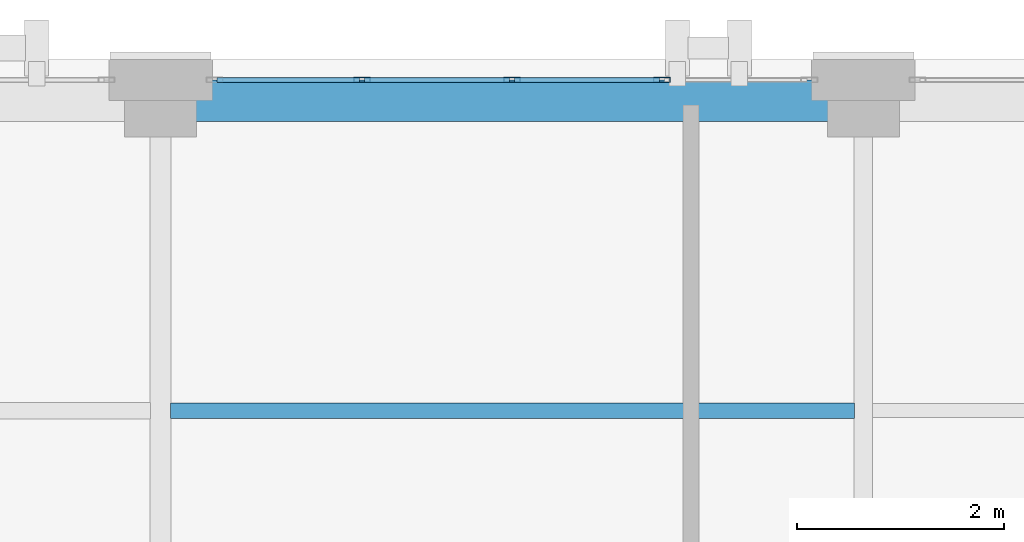
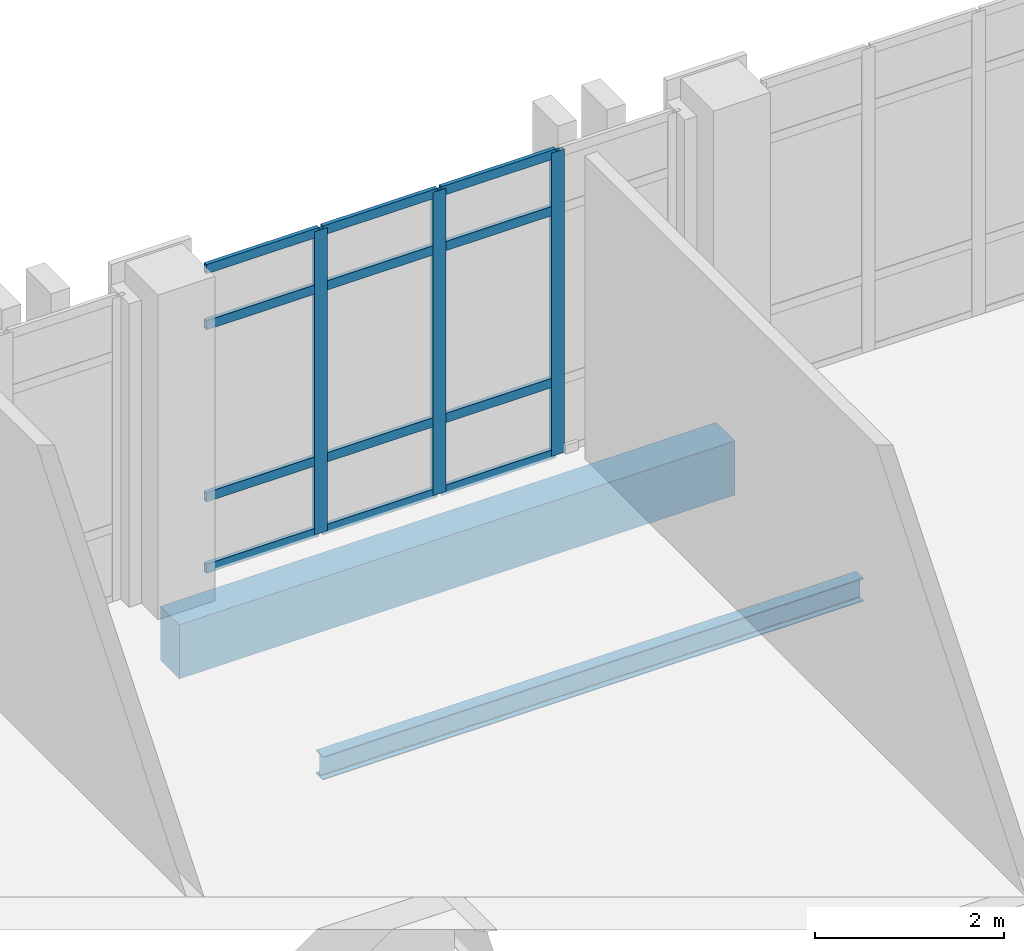
# One storey, part 93 of 158: 15 members, 2 beams, 1 element without a shape of its own.
"""IFC4 building model written with IfcOpenShell, lengths in metres."""

from ifc_helpers import new_model, si_unit, direction, frame, origin, origin_2d, place, context, subcontext, project, spatial, rectangle, hollow_rectangle, i_section, extrude, material, layer, layer_set, material_profile, profile_set, type_object, element, aggregate, save


model = new_model("IFC4")

# Units and contexts
model_context = context("Model", 3, precision=1e-05, world=origin(), true_north=direction((0.0, 1.0)))
body_context = subcontext(model_context, "Body", "Model", "MODEL_VIEW")
ifc_project = project(units=[si_unit("LENGTHUNIT", "METRE"), si_unit("AREAUNIT", "SQUARE_METRE"), si_unit("VOLUMEUNIT", "CUBIC_METRE"), si_unit("PLANEANGLEUNIT", "RADIAN"), si_unit("MASSUNIT", "GRAM", prefix="KILO")], contexts=[model_context])

# Site, building, storey
site_placement = place(None, origin())
site = spatial("IfcSite", under=ifc_project, at=site_placement, CompositionType="ELEMENT")
building_placement = place(site_placement, origin())
building = spatial("IfcBuilding", under=site, at=building_placement, Name="Qalavern Law Courts", CompositionType="ELEMENT")
storey_placement = place(building_placement, frame((0.0, 0.0, 18.60009765625)))
storey = spatial("IfcBuildingStorey", under=building, at=storey_placement, Name="L04", CompositionType="ELEMENT", Elevation=18.60009765625)

# Curtain wall, members
ifc_material_1 = material(Name="Anodised aluminium and insulated glazing", Category="aluminium")
ifc_layer = layer(ifc_material_1, 0.166015625)
ifc_layer_set = layer_set([ifc_layer], Name="Anodised aluminium and insulated glazing")
curtain_wall_type = type_object("IfcCurtainWallType", Name="ENV-CW-LIB", PredefinedType="USERDEFINED", material=ifc_layer_set)
curtain_wall_placement = place(storey_placement, origin())
curtain_wall = element("IfcCurtainWall", 1, at=curtain_wall_placement, inside=storey, type_object=curtain_wall_type, Name="V5 unitised curtain wall L04 north 3", ObjectType="UNITISED CURTAIN WALL", PredefinedType="USERDEFINED")
ifc_material_2 = material(Name="Anodised aluminium", Category="aluminium")
ifc_material_profile_1 = material_profile(ifc_material_2, hollow_rectangle(XDim=0.048095703125, YDim=0.159912109375, WallThickness=0.00390625, at=origin_2d()), Name="ALU MULLION 48x160")
ifc_profile_set_1 = profile_set([ifc_material_profile_1], Name="Anodised aluminium")
member_type_1 = type_object("IfcMemberType", Name="ENV-CWM-48x160", PredefinedType="MULLION", material=ifc_profile_set_1)
member_1_placement = place(storey_placement, frame((49.64990234375, 112.800048828125, 0.0), z_axis=(0.0, 0.0, 1.0), x_axis=(0.0, -1.0, 0.0)))
member_1 = element("IfcMember", 2, at=member_1_placement, type_object=member_type_1, Name="CW-05 mullion 2", PredefinedType="MULLION", context=body_context, shape_type="SweptSolid", body=[
    extrude(hollow_rectangle(XDim=0.048095703125, YDim=0.159912109375, WallThickness=0.00390625, at=origin_2d()), origin(), (0.0, 0.0, 1.0), 3.9248046875),
])
member_2_placement = place(storey_placement, frame((48.199951171875, 112.800048828125, 0.0), z_axis=(0.0, 0.0, 1.0), x_axis=(0.0, -1.0, 0.0)))
member_2 = element("IfcMember", 3, at=member_2_placement, type_object=member_type_1, Name="CW-05 mullion 3", PredefinedType="MULLION", context=body_context, shape_type="SweptSolid", body=[
    extrude(hollow_rectangle(XDim=0.048095703125, YDim=0.159912109375, WallThickness=0.00390625, at=origin_2d()), origin(), (0.0, 0.0, 1.0), 3.9248046875),
])
member_3_placement = place(storey_placement, frame((46.75, 112.800048828125, 0.0), z_axis=(0.0, 0.0, 1.0), x_axis=(0.0, -1.0, 0.0)))
member_3 = element("IfcMember", 4, at=member_3_placement, type_object=member_type_1, Name="CW-05 mullion 4", PredefinedType="MULLION", context=body_context, shape_type="SweptSolid", body=[
    extrude(hollow_rectangle(XDim=0.048095703125, YDim=0.159912109375, WallThickness=0.00390625, at=origin_2d()), origin(), (0.0, 0.0, 1.0), 3.9248046875),
])
ifc_material_profile_2 = material_profile(ifc_material_2, hollow_rectangle(XDim=0.048095703125, YDim=0.1201171875, WallThickness=0.00390625, at=origin_2d()), Name="ALU TRANSOM 48x120")
ifc_profile_set_2 = profile_set([ifc_material_profile_2], Name="Anodised aluminium")
member_type_2 = type_object("IfcMemberType", Name="ENV-CWT-48x120", PredefinedType="USERDEFINED", material=ifc_profile_set_2)
member_4_placement = place(storey_placement, frame((49.6259765625, 112.800048828125, 0.02392578125), z_axis=(-1.0, 0.0, 0.0), x_axis=(0.0, -1.0, 0.0)))
member_4 = element("IfcMember", 5, at=member_4_placement, type_object=member_type_2, Name="CW-05 transom 2.1", ObjectType="TRANSOM", PredefinedType="USERDEFINED", context=body_context, shape_type="SweptSolid", body=[
    extrude(hollow_rectangle(XDim=0.048095703125, YDim=0.1201171875, WallThickness=0.00390625, at=origin_2d()), origin(), (0.0, 0.0, 1.0), 1.40185546875),
])
member_5_placement = place(storey_placement, frame((49.6259765625, 112.800048828125, 0.949951171875), z_axis=(-1.0, 0.0, 0.0), x_axis=(0.0, -1.0, 0.0)))
member_5 = element("IfcMember", 6, at=member_5_placement, type_object=member_type_2, Name="CW-05 transom 2.2", ObjectType="TRANSOM", PredefinedType="USERDEFINED", context=body_context, shape_type="SweptSolid", body=[
    extrude(hollow_rectangle(XDim=0.048095703125, YDim=0.1201171875, WallThickness=0.00390625, at=origin_2d()), origin(), (0.0, 0.0, 1.0), 1.40185546875),
])
member_6_placement = place(storey_placement, frame((49.6259765625, 112.800048828125, 3.1748046875), z_axis=(-1.0, 0.0, 0.0), x_axis=(0.0, -1.0, 0.0)))
member_6 = element("IfcMember", 7, at=member_6_placement, type_object=member_type_2, Name="CW-05 transom 2.3", ObjectType="TRANSOM", PredefinedType="USERDEFINED", context=body_context, shape_type="SweptSolid", body=[
    extrude(hollow_rectangle(XDim=0.048095703125, YDim=0.1201171875, WallThickness=0.00390625, at=origin_2d()), origin(), (0.0, 0.0, 1.0), 1.40185546875),
])
member_7_placement = place(storey_placement, frame((49.6259765625, 112.800048828125, 3.90087890625), z_axis=(-1.0, 0.0, 0.0), x_axis=(0.0, -1.0, 0.0)))
member_7 = element("IfcMember", 8, at=member_7_placement, type_object=member_type_2, Name="CW-05 transom 2.4", ObjectType="TRANSOM", PredefinedType="USERDEFINED", context=body_context, shape_type="SweptSolid", body=[
    extrude(hollow_rectangle(XDim=0.048095703125, YDim=0.1201171875, WallThickness=0.00390625, at=origin_2d()), origin(), (0.0, 0.0, 1.0), 1.40185546875),
])
member_8_placement = place(storey_placement, frame((48.176025390625, 112.800048828125, 0.02392578125), z_axis=(-1.0, 0.0, 0.0), x_axis=(0.0, -1.0, 0.0)))
member_8 = element("IfcMember", 9, at=member_8_placement, type_object=member_type_2, Name="CW-05 transom 3.1", ObjectType="TRANSOM", PredefinedType="USERDEFINED", context=body_context, shape_type="SweptSolid", body=[
    extrude(hollow_rectangle(XDim=0.048095703125, YDim=0.1201171875, WallThickness=0.00390625, at=origin_2d()), origin(), (0.0, 0.0, 1.0), 1.402099609375),
])
member_9_placement = place(storey_placement, frame((48.176025390625, 112.800048828125, 0.949951171875), z_axis=(-1.0, 0.0, 0.0), x_axis=(0.0, -1.0, 0.0)))
member_9 = element("IfcMember", 10, at=member_9_placement, type_object=member_type_2, Name="CW-05 transom 3.2", ObjectType="TRANSOM", PredefinedType="USERDEFINED", context=body_context, shape_type="SweptSolid", body=[
    extrude(hollow_rectangle(XDim=0.048095703125, YDim=0.1201171875, WallThickness=0.00390625, at=origin_2d()), origin(), (0.0, 0.0, 1.0), 1.402099609375),
])
member_10_placement = place(storey_placement, frame((48.176025390625, 112.800048828125, 3.1748046875), z_axis=(-1.0, 0.0, 0.0), x_axis=(0.0, -1.0, 0.0)))
member_10 = element("IfcMember", 11, at=member_10_placement, type_object=member_type_2, Name="CW-05 transom 3.3", ObjectType="TRANSOM", PredefinedType="USERDEFINED", context=body_context, shape_type="SweptSolid", body=[
    extrude(hollow_rectangle(XDim=0.048095703125, YDim=0.1201171875, WallThickness=0.00390625, at=origin_2d()), origin(), (0.0, 0.0, 1.0), 1.402099609375),
])
member_11_placement = place(storey_placement, frame((48.176025390625, 112.800048828125, 3.90087890625), z_axis=(-1.0, 0.0, 0.0), x_axis=(0.0, -1.0, 0.0)))
member_11 = element("IfcMember", 12, at=member_11_placement, type_object=member_type_2, Name="CW-05 transom 3.4", ObjectType="TRANSOM", PredefinedType="USERDEFINED", context=body_context, shape_type="SweptSolid", body=[
    extrude(hollow_rectangle(XDim=0.048095703125, YDim=0.1201171875, WallThickness=0.00390625, at=origin_2d()), origin(), (0.0, 0.0, 1.0), 1.402099609375),
])
member_12_placement = place(storey_placement, frame((46.72607421875, 112.800048828125, 0.02392578125), z_axis=(-1.0, 0.0, 0.0), x_axis=(0.0, -1.0, 0.0)))
member_12 = element("IfcMember", 13, at=member_12_placement, type_object=member_type_2, Name="CW-05 transom 4.1", ObjectType="TRANSOM", PredefinedType="USERDEFINED", context=body_context, shape_type="SweptSolid", body=[
    extrude(hollow_rectangle(XDim=0.048095703125, YDim=0.1201171875, WallThickness=0.00390625, at=origin_2d()), origin(), (0.0, 0.0, 1.0), 1.378173828125),
])
member_13_placement = place(storey_placement, frame((46.72607421875, 112.800048828125, 0.949951171875), z_axis=(-1.0, 0.0, 0.0), x_axis=(0.0, -1.0, 0.0)))
member_13 = element("IfcMember", 14, at=member_13_placement, type_object=member_type_2, Name="CW-05 transom 4.2", ObjectType="TRANSOM", PredefinedType="USERDEFINED", context=body_context, shape_type="SweptSolid", body=[
    extrude(hollow_rectangle(XDim=0.048095703125, YDim=0.1201171875, WallThickness=0.00390625, at=origin_2d()), origin(), (0.0, 0.0, 1.0), 1.378173828125),
])
member_14_placement = place(storey_placement, frame((46.72607421875, 112.800048828125, 3.1748046875), z_axis=(-1.0, 0.0, 0.0), x_axis=(0.0, -1.0, 0.0)))
member_14 = element("IfcMember", 15, at=member_14_placement, type_object=member_type_2, Name="CW-05 transom 4.3", ObjectType="TRANSOM", PredefinedType="USERDEFINED", context=body_context, shape_type="SweptSolid", body=[
    extrude(hollow_rectangle(XDim=0.048095703125, YDim=0.1201171875, WallThickness=0.00390625, at=origin_2d()), origin(), (0.0, 0.0, 1.0), 1.378173828125),
])
member_15_placement = place(storey_placement, frame((46.72607421875, 112.800048828125, 3.90087890625), z_axis=(-1.0, 0.0, 0.0), x_axis=(0.0, -1.0, 0.0)))
member_15 = element("IfcMember", 16, at=member_15_placement, type_object=member_type_2, Name="CW-05 transom 4.4", ObjectType="TRANSOM", PredefinedType="USERDEFINED", context=body_context, shape_type="SweptSolid", body=[
    extrude(hollow_rectangle(XDim=0.048095703125, YDim=0.1201171875, WallThickness=0.00390625, at=origin_2d()), origin(), (0.0, 0.0, 1.0), 1.378173828125),
])
aggregate(curtain_wall, [member_1, member_2, member_3, member_4, member_5, member_6, member_7, member_8, member_9, member_10, member_11, member_12, member_13, member_14, member_15])

# Beams
ifc_material_3 = material(Name="Steel S355", Category="steel")
ifc_material_profile_3 = material_profile(ifc_material_3, i_section(OverallWidth=0.14990234375, OverallDepth=0.300048828125, WebThickness=0.007080078125, FlangeThickness=0.0107421875, FilletRadius=0.014892578125, at=origin_2d()), Name="IPE 300")
ifc_profile_set_3 = profile_set([ifc_material_profile_3], Name="Steel S355")
beam_type_1 = type_object("IfcBeamType", Name="STR-JST-IPE300", PredefinedType="JOIST", material=ifc_profile_set_3)
beam_1_placement = place(storey_placement, frame((44.89794921875, 109.60009765625, -0.43017578125), z_axis=(1.0, 0.0, 0.0), x_axis=(0.0, 1.0, 0.0)))
element("IfcBeam", 17, at=beam_1_placement, inside=storey, type_object=beam_type_1, Name="V5 secondary joist 6.2.2 L04", PredefinedType="JOIST", context=body_context, shape_type="SweptSolid", body=[
    extrude(i_section(OverallWidth=0.14990234375, OverallDepth=0.300048828125, WebThickness=0.007080078125, FlangeThickness=0.0107421875, FilletRadius=0.014892578125, at=origin_2d()), origin(), (0.0, 0.0, 1.0), 6.614013671875),
])
ifc_material_4 = material(Name="Concrete C40/50", Category="concrete")
ifc_material_profile_4 = material_profile(ifc_material_4, rectangle(XDim=0.39990234375, YDim=0.699951171875, at=origin_2d()), Name="RC 400x700")
ifc_profile_set_4 = profile_set([ifc_material_profile_4], Name="Concrete C40/50")
beam_type_2 = type_object("IfcBeamType", Name="STR-SP-RC400x700", PredefinedType="SPANDREL", material=ifc_profile_set_4)
beam_2_placement = place(storey_placement, frame((44.800048828125, 112.60009765625, -0.630126953125), z_axis=(1.0, 0.0, 0.0), x_axis=(0.0, 1.0, 0.0)))
element("IfcBeam", 18, at=beam_2_placement, inside=storey, type_object=beam_type_2, Name="V5 X-beam 3-6 L04", PredefinedType="SPANDREL", context=body_context, shape_type="SweptSolid", body=[
    extrude(rectangle(XDim=0.39990234375, YDim=0.699951171875, at=origin_2d()), origin(), (0.0, 0.0, 1.0), 6.800048828125),
])

save(model, "model.ifc")
